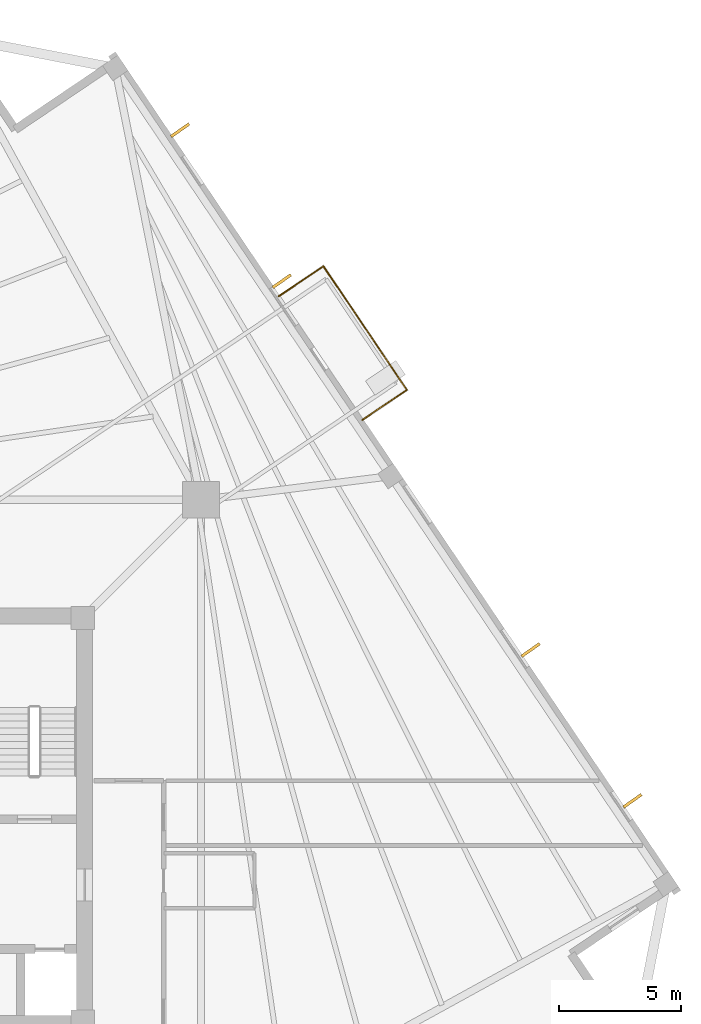
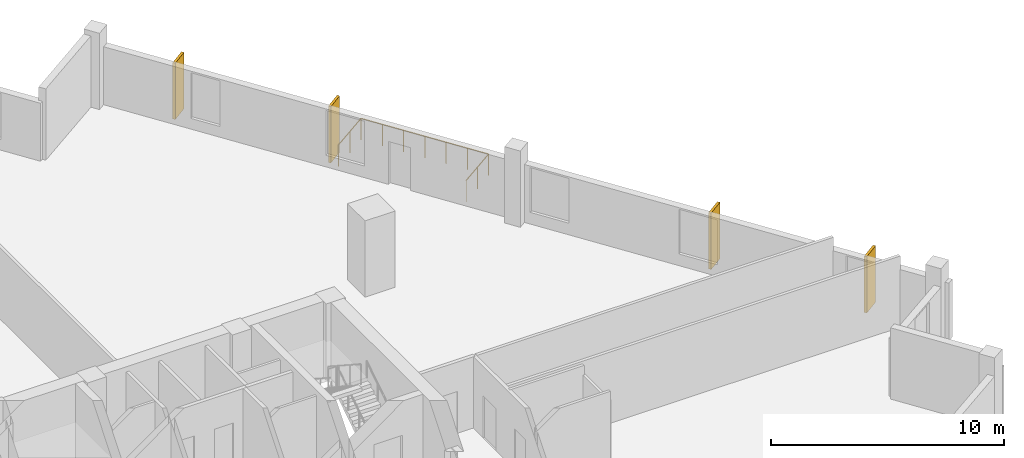
# One storey, part 9 of 9: 4 coverings, 3 railings.
"""IFC4 building model written with IfcOpenShell, lengths in metres."""

from ifc_helpers import new_model, si_unit, direction, frame, origin, origin_2d, place, context, subcontext, project, spatial, rectangle, circle, extrude, source, transform, mapped, material, layer, layer_set, type_object, element, save


model = new_model("IFC4")

# Units and contexts
model_context = context("Model", 3, precision=1e-05, world=origin(), true_north=direction((0.0, 1.0)))
body_context = subcontext(model_context, "Body", "Model", "MODEL_VIEW")
ifc_project = project(units=[si_unit("LENGTHUNIT", "METRE"), si_unit("AREAUNIT", "SQUARE_METRE"), si_unit("VOLUMEUNIT", "CUBIC_METRE"), si_unit("PLANEANGLEUNIT", "RADIAN"), si_unit("MASSUNIT", "GRAM", prefix="KILO"), si_unit("THERMODYNAMICTEMPERATUREUNIT", "KELVIN")], contexts=[model_context])

# Site, building, storey
site_placement = place(None, origin())
site = spatial("IfcSite", under=ifc_project, at=site_placement, CompositionType="ELEMENT")
building_placement = place(site_placement, origin())
building = spatial("IfcBuilding", under=site, at=building_placement, Name="Kosmvard Interchange Tower", CompositionType="ELEMENT")
storey_placement = place(building_placement, frame((0.0, 0.0, 180.39990234375)))
storey = spatial("IfcBuildingStorey", under=building, at=storey_placement, Name="L43", CompositionType="ELEMENT", Elevation=180.39990234375)

# Coverings
ifc_material_1 = material(Name="Architectural anodised aluminium", Category="aluminium")
ifc_layer = layer(ifc_material_1, 0.1201171875, Name="Architectural anodised aluminium")
ifc_layer_set = layer_set([ifc_layer], Name="Architectural anodised aluminium")
covering_type = type_object("IfcCoveringType", Name="Rotating Vertical Sun-Breaker Fin 900x120 Aluminium", PredefinedType="CLADDING", material=ifc_layer_set)
shared_shape_1 = source(origin(), body_context, "Body", "SweptSolid", [
    extrude(rectangle(XDim=0.89990234375, YDim=0.1201171875, at=origin_2d()), origin(), (0.0, 0.0, 1.0), 2.9599609375),
])
for number, where, z_axis, x_axis, name in (
    (1, (30.718994140625, 0.774169921875, 0.0400390625), (0.0, 0.0, 1.0), (0.817848533243, 0.575433555394, 0.0), "L43 Rotating Vertical Sun-Breaker Fin 05"),
    (2, (26.557861328125, 6.943115234375, 0.0400390625), (0.0, 0.0, 1.0), (0.817848533243, 0.575433555394, 0.0), "L43 Rotating Vertical Sun-Breaker Fin 06"),
    (3, (16.38623046875, 22.02294921875, 0.0400390625), (0.0, 0.0, 1.0), (0.817848533243, 0.575433555394, 0.0), "L43 Rotating Vertical Sun-Breaker Fin 07"),
    (4, (12.225341796875, 28.192138671875, 0.0400390625), (0.0, 0.0, 1.0), (0.817848533243, 0.575433555394, 0.0), "L43 Rotating Vertical Sun-Breaker Fin 08"),
):
    element("IfcCovering", number, at=place(storey_placement, frame(where, z_axis=z_axis, x_axis=x_axis)), inside=storey, type_object=covering_type, Name=name, PredefinedType="CLADDING", context=body_context, shape_type="MappedRepresentation", body=[
        mapped(shared_shape_1, transform((0.0, 0.0, 0.0), scale=1.0)),
    ])

# Railings
ifc_material_2 = material(Name="Steel S355", Category="steel")
railing_type = type_object("IfcRailingType", Name="Observation & Balcony Glass-Infill Balustrade 1150", PredefinedType="BALUSTRADE", material=ifc_material_2)
shared_shape_2 = source(origin(), body_context, "Body", "SweptSolid", [
    extrude(circle(Radius=0.02392578125, at=origin_2d()), frame((0.0, 0.0, 1.1259765625), z_axis=(0.829050594418, 0.559173597279, 0.0), x_axis=(-0.559173597279, 0.829050594418, 0.0)), (0.0, 0.0, 1.0), 2.2001953125),
    extrude(circle(Radius=0.02099609375, at=origin_2d()), origin(), (0.0, 0.0, 1.0), 1.101806640625),
    extrude(circle(Radius=0.02099609375, at=origin_2d()), frame((0.912109375, 0.615234375, 0.0)), (0.0, 0.0, 1.0), 1.101806640625),
    extrude(circle(Radius=0.02099609375, at=origin_2d()), frame((1.823974609375, 1.230224609375, 0.0)), (0.0, 0.0, 1.0), 1.101806640625),
])
railing_1_placement = place(storey_placement, frame((19.673095703125, 16.345458984375, 0.0)))
element("IfcRailing", 5, at=railing_1_placement, inside=storey, type_object=railing_type, Name="L43 Outdoor Terrace Guard BAL-L43-E-A", PredefinedType="BALUSTRADE", context=body_context, shape_type="MappedRepresentation", body=[
    mapped(shared_shape_2, transform((0.0, 0.0, 0.0), scale=1.0)),
])
shared_shape_3 = source(origin(), body_context, "Body", "SweptSolid", [
    extrude(circle(Radius=0.02392578125, at=origin_2d()), frame((0.0, 0.0, 1.1259765625), z_axis=(-0.55919924627, 0.829033294248, 0.0), x_axis=(-0.829033294248, -0.55919924627, 0.0)), (0.0, 0.0, 1.0), 6.10009765625),
    extrude(circle(Radius=0.02099609375, at=origin_2d()), origin(), (0.0, 0.0, 1.0), 1.101806640625),
    extrude(circle(Radius=0.02099609375, at=origin_2d()), frame((-0.568603515625, 0.8427734375, 0.0)), (0.0, 0.0, 1.0), 1.101806640625),
    extrude(circle(Radius=0.02099609375, at=origin_2d()), frame((-1.136962890625, 1.685791015625, 0.0)), (0.0, 0.0, 1.0), 1.101806640625),
    extrude(circle(Radius=0.02099609375, at=origin_2d()), frame((-1.70556640625, 2.528564453125, 0.0)), (0.0, 0.0, 1.0), 1.101806640625),
    extrude(circle(Radius=0.02099609375, at=origin_2d()), frame((-2.274169921875, 3.371337890625, 0.0)), (0.0, 0.0, 1.0), 1.101806640625),
    extrude(circle(Radius=0.02099609375, at=origin_2d()), frame((-2.842529296875, 4.21435546875, 0.0)), (0.0, 0.0, 1.0), 1.101806640625),
    extrude(circle(Radius=0.02099609375, at=origin_2d()), frame((-3.4111328125, 5.05712890625, 0.0)), (0.0, 0.0, 1.0), 1.101806640625),
])
railing_2_placement = place(storey_placement, frame((21.4970703125, 17.57568359375, 0.0)))
element("IfcRailing", 6, at=railing_2_placement, inside=storey, type_object=railing_type, Name="L43 Outdoor Terrace Guard BAL-L43-E-B", PredefinedType="BALUSTRADE", context=body_context, shape_type="MappedRepresentation", body=[
    mapped(shared_shape_3, transform((0.0, 0.0, 0.0), scale=1.0)),
])
shared_shape_4 = source(origin(), body_context, "Body", "SweptSolid", [
    extrude(circle(Radius=0.02392578125, at=origin_2d()), frame((0.0, 0.0, 1.1259765625), z_axis=(-0.829050594418, -0.559173597279, 0.0), x_axis=(0.559173597279, -0.829050594418, 0.0)), (0.0, 0.0, 1.0), 2.2001953125),
    extrude(circle(Radius=0.02099609375, at=origin_2d()), origin(), (0.0, 0.0, 1.0), 1.101806640625),
    extrude(circle(Radius=0.02099609375, at=origin_2d()), frame((-0.912109375, -0.615234375, 0.0)), (0.0, 0.0, 1.0), 1.101806640625),
    extrude(circle(Radius=0.02099609375, at=origin_2d()), frame((-1.823974609375, -1.230224609375, 0.0)), (0.0, 0.0, 1.0), 1.101806640625),
])
railing_3_placement = place(storey_placement, frame((18.0859375, 22.6328125, 0.0)))
element("IfcRailing", 7, at=railing_3_placement, inside=storey, type_object=railing_type, Name="L43 Outdoor Terrace Guard BAL-L43-E-C", PredefinedType="BALUSTRADE", context=body_context, shape_type="MappedRepresentation", body=[
    mapped(shared_shape_4, transform((0.0, 0.0, 0.0), scale=1.0)),
])

save(model, "model.ifc")
